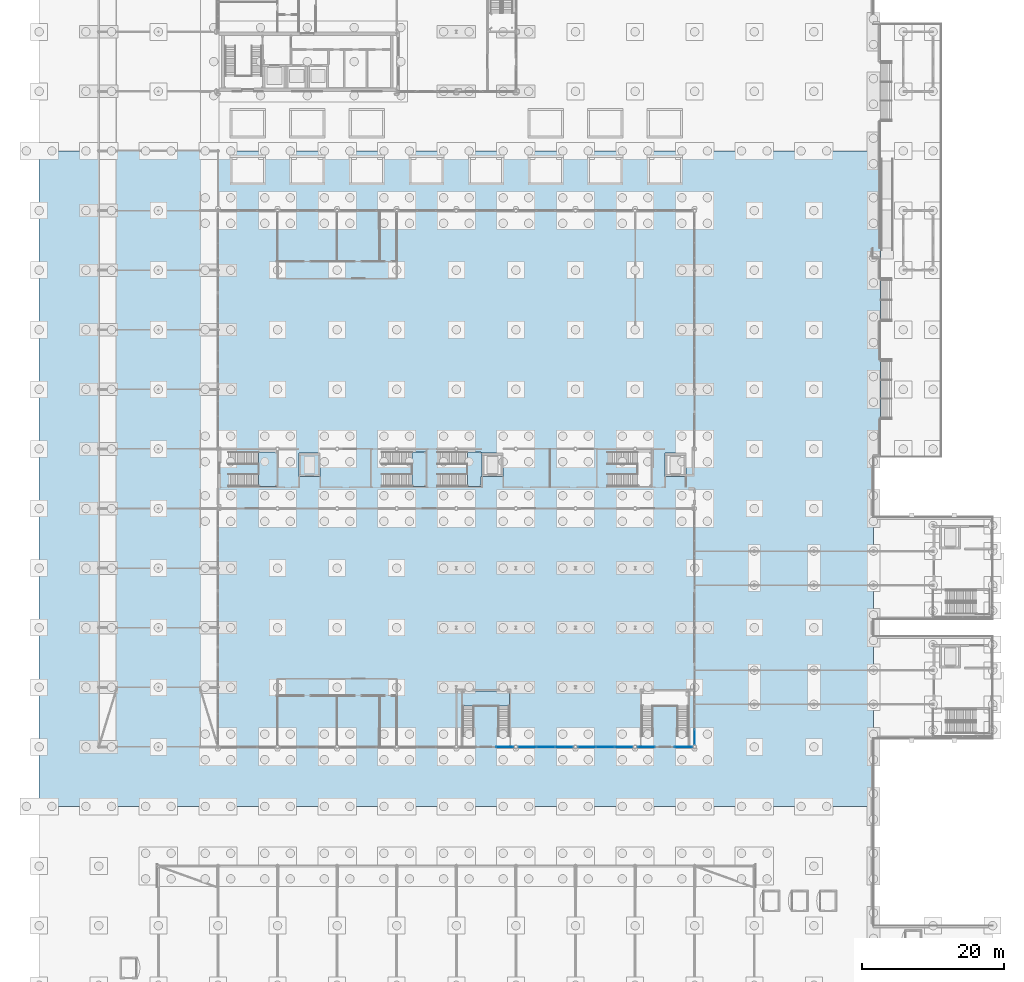
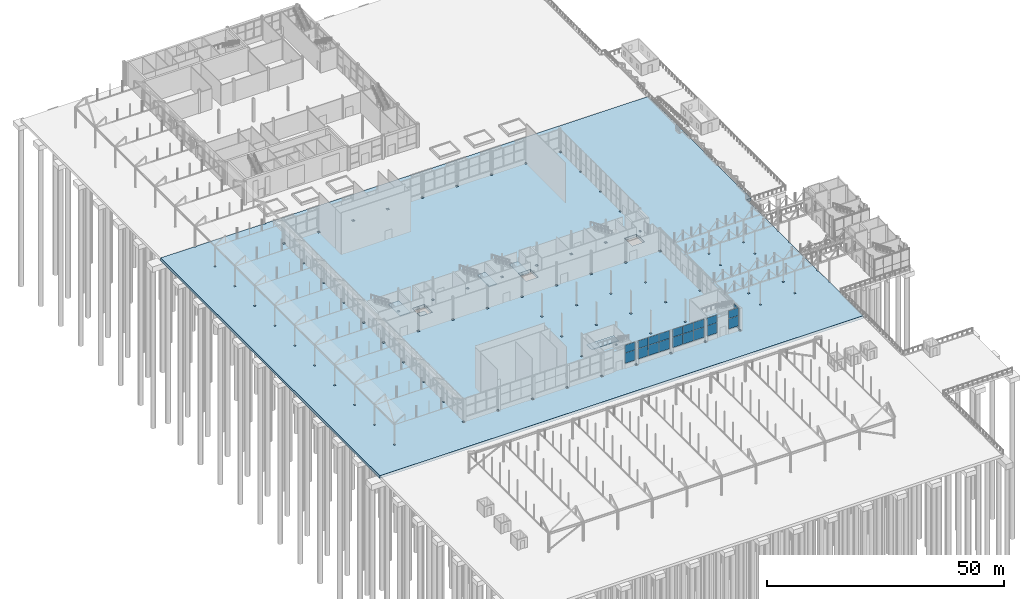
# One storey, part 173 of 212: 20 plates, 6 slabs, 10 elements without a shape of their own.
"""IFC4 building model written with IfcOpenShell, lengths in metres."""

from ifc_helpers import new_model, si_unit, direction, frame, origin, origin_2d, place, context, subcontext, project, spatial, polyline, rectangle, outline, extrude, material, layer, layer_set, type_object, element, aggregate, save


model = new_model("IFC4")

# Units and contexts
model_context = context("Model", 3, precision=1e-05, world=origin(), true_north=direction((0.0, 1.0)))
body_context = subcontext(model_context, "Body", "Model", "MODEL_VIEW")
ifc_project = project(units=[si_unit("LENGTHUNIT", "METRE"), si_unit("AREAUNIT", "SQUARE_METRE"), si_unit("VOLUMEUNIT", "CUBIC_METRE"), si_unit("PLANEANGLEUNIT", "RADIAN"), si_unit("MASSUNIT", "GRAM", prefix="KILO")], contexts=[model_context])

# Site, building, storey
site_placement = place(None, origin())
site = spatial("IfcSite", under=ifc_project, at=site_placement, CompositionType="ELEMENT")
building_placement = place(site_placement, origin())
building = spatial("IfcBuilding", under=site, at=building_placement, Name="Catenary Quay Ferry Terminal", CompositionType="ELEMENT")
storey_placement = place(building_placement, origin())
storey = spatial("IfcBuildingStorey", under=building, at=storey_placement, Name="L00", CompositionType="ELEMENT", Elevation=0.0)

# Slab
ifc_material_1 = material(Name="Concrete C35/45", Category="concrete")
ifc_layer_1 = layer(ifc_material_1, 0.300048828125)
ifc_layer_set_1 = layer_set([ifc_layer_1], Name="Lift pit floor 300")
slab_type_1 = type_object("IfcSlabType", Name="Lift pit floor 300", PredefinedType="BASESLAB", material=ifc_layer_set_1)
slab_1_placement = place(storey_placement, frame((0.0, 0.0, -1.89990234375)))
element("IfcSlab", 1, at=slab_1_placement, inside=storey, type_object=slab_type_1, Name="Lift pit floor TL1", PredefinedType="BASESLAB", context=body_context, shape_type="SweptSolid", body=[
    extrude(outline(polyline([(39.60009765625, 105.300048828125), (39.60009765625, 108.60009765625), (36.60009765625, 108.60009765625), (36.60009765625, 105.300048828125), (39.60009765625, 105.300048828125)])), origin(), (0.0, 0.0, 1.0), 0.2998046875),
])

# Curtain wall, plates
ifc_material_2 = material(Name="Aluminium and glass", Category="aluminium")
curtain_wall_type_1 = type_object("IfcCurtainWallType", Name="CWG", PredefinedType="NOTDEFINED", material=ifc_material_2)
curtain_wall_1_placement = place(storey_placement, origin())
curtain_wall_1 = element("IfcCurtainWall", 2, at=curtain_wall_1_placement, inside=storey, type_object=curtain_wall_type_1, Name="Gable arrivals hall curtain wall CW6", PredefinedType="NOTDEFINED")
ifc_material_3 = material(Name="Glass", Category="glass")
ifc_layer_2 = layer(ifc_material_3, 0.031982421875)
ifc_layer_set_2 = layer_set([ifc_layer_2], Name="PN1")
plate_type_1 = type_object("IfcPlateType", Name="PN1", PredefinedType="CURTAIN_PANEL", material=ifc_layer_set_2)
plate_1_placement = place(storey_placement, frame((92.39990234375, 68.583740234375, 0.06005859375), z_axis=(0.0, 0.0, 1.0), x_axis=(0.0, 1.0, 0.0)))
plate_1 = element("IfcPlate", 3, at=plate_1_placement, type_object=plate_type_1, Name="CW6 panel 1.1", PredefinedType="CURTAIN_PANEL", context=body_context, shape_type="SweptSolid", body=[
    extrude(rectangle(XDim=2.047607421875, YDim=0.031982421875, at=origin_2d()), origin(), (0.0, 0.0, 1.0), 2.610107421875),
])
plate_2_placement = place(storey_placement, frame((92.39990234375, 68.583740234375, 2.72998046875), z_axis=(0.0, 0.0, 1.0), x_axis=(0.0, 1.0, 0.0)))
plate_2 = element("IfcPlate", 4, at=plate_2_placement, type_object=plate_type_1, Name="CW6 panel 1.2", PredefinedType="CURTAIN_PANEL", context=body_context, shape_type="SweptSolid", body=[
    extrude(rectangle(XDim=2.047607421875, YDim=0.031982421875, at=origin_2d()), origin(), (0.0, 0.0, 1.0), 2.610107421875),
])
aggregate(curtain_wall_1, [plate_1, plate_2])

ifc_material_4 = material(Name="Aluminium and glass", Category="aluminium")
curtain_wall_type_2 = type_object("IfcCurtainWallType", Name="CWH", PredefinedType="NOTDEFINED", material=ifc_material_4)
curtain_wall_2_placement = place(storey_placement, origin())
curtain_wall_2 = element("IfcCurtainWall", 5, at=curtain_wall_2_placement, inside=storey, type_object=curtain_wall_type_2, Name="Hall curtain wall CW27", PredefinedType="NOTDEFINED")
ifc_material_5 = material(Name="Glass", Category="glass")
ifc_layer_3 = layer(ifc_material_5, 0.0400390625)
ifc_layer_set_3 = layer_set([ifc_layer_3], Name="PN2")
plate_type_2 = type_object("IfcPlateType", Name="PN2", PredefinedType="CURTAIN_PANEL", material=ifc_layer_set_3)
plate_3_placement = place(storey_placement, frame((65.625, 67.199951171875, 1.259765625), z_axis=(0.0, 0.0, 1.0), x_axis=(1.0, 0.0, 0.0)))
plate_3 = element("IfcPlate", 6, at=plate_3_placement, type_object=plate_type_2, Name="CW27 panel 1.1", PredefinedType="CURTAIN_PANEL", context=body_context, shape_type="SweptSolid", body=[
    extrude(rectangle(XDim=2.409912109375, YDim=0.0400390625, at=origin_2d()), origin(), (0.0, 0.0, 1.0), 2.610107421875),
])
plate_4_placement = place(storey_placement, frame((65.625, 67.199951171875, 3.93017578125), z_axis=(0.0, 0.0, 1.0), x_axis=(1.0, 0.0, 0.0)))
plate_4 = element("IfcPlate", 7, at=plate_4_placement, type_object=plate_type_2, Name="CW27 panel 1.2", PredefinedType="CURTAIN_PANEL", context=body_context, shape_type="SweptSolid", body=[
    extrude(rectangle(XDim=2.409912109375, YDim=0.0400390625, at=origin_2d()), origin(), (0.0, 0.0, 1.0), 2.010009765625),
])
aggregate(curtain_wall_2, [plate_3, plate_4])

curtain_wall_3_placement = place(storey_placement, origin())
curtain_wall_3 = element("IfcCurtainWall", 8, at=curtain_wall_3_placement, inside=storey, type_object=curtain_wall_type_2, Name="Hall curtain wall CW28", PredefinedType="NOTDEFINED")
plate_5_placement = place(storey_placement, frame((68.8173828125, 67.199951171875, 1.259765625), z_axis=(0.0, 0.0, 1.0), x_axis=(1.0, 0.0, 0.0)))
plate_5 = element("IfcPlate", 9, at=plate_5_placement, type_object=plate_type_2, Name="CW28 panel 1.1", PredefinedType="CURTAIN_PANEL", context=body_context, shape_type="SweptSolid", body=[
    extrude(rectangle(XDim=2.4951171875, YDim=0.0400390625, at=origin_2d()), origin(), (0.0, 0.0, 1.0), 2.610107421875),
])
plate_6_placement = place(storey_placement, frame((68.8173828125, 67.199951171875, 3.93017578125), z_axis=(0.0, 0.0, 1.0), x_axis=(1.0, 0.0, 0.0)))
plate_6 = element("IfcPlate", 10, at=plate_6_placement, type_object=plate_type_2, Name="CW28 panel 1.2", PredefinedType="CURTAIN_PANEL", context=body_context, shape_type="SweptSolid", body=[
    extrude(rectangle(XDim=2.4951171875, YDim=0.0400390625, at=origin_2d()), origin(), (0.0, 0.0, 1.0), 2.010009765625),
])
plate_7_placement = place(storey_placement, frame((71.39990234375, 67.199951171875, 1.259765625), z_axis=(0.0, 0.0, 1.0), x_axis=(1.0, 0.0, 0.0)))
plate_7 = element("IfcPlate", 11, at=plate_7_placement, type_object=plate_type_2, Name="CW28 panel 2.1", PredefinedType="CURTAIN_PANEL", context=body_context, shape_type="SweptSolid", body=[
    extrude(rectangle(XDim=2.530029296875, YDim=0.0400390625, at=origin_2d()), origin(), (0.0, 0.0, 1.0), 2.610107421875),
])
plate_8_placement = place(storey_placement, frame((71.39990234375, 67.199951171875, 3.93017578125), z_axis=(0.0, 0.0, 1.0), x_axis=(1.0, 0.0, 0.0)))
plate_8 = element("IfcPlate", 12, at=plate_8_placement, type_object=plate_type_2, Name="CW28 panel 2.2", PredefinedType="CURTAIN_PANEL", context=body_context, shape_type="SweptSolid", body=[
    extrude(rectangle(XDim=2.530029296875, YDim=0.0400390625, at=origin_2d()), origin(), (0.0, 0.0, 1.0), 2.010009765625),
])
plate_9_placement = place(storey_placement, frame((73.982421875, 67.199951171875, 1.259765625), z_axis=(0.0, 0.0, 1.0), x_axis=(1.0, 0.0, 0.0)))
plate_9 = element("IfcPlate", 13, at=plate_9_placement, type_object=plate_type_2, Name="CW28 panel 3.1", PredefinedType="CURTAIN_PANEL", context=body_context, shape_type="SweptSolid", body=[
    extrude(rectangle(XDim=2.4951171875, YDim=0.0400390625, at=origin_2d()), origin(), (0.0, 0.0, 1.0), 2.610107421875),
])
plate_10_placement = place(storey_placement, frame((73.982421875, 67.199951171875, 3.93017578125), z_axis=(0.0, 0.0, 1.0), x_axis=(1.0, 0.0, 0.0)))
plate_10 = element("IfcPlate", 14, at=plate_10_placement, type_object=plate_type_2, Name="CW28 panel 3.2", PredefinedType="CURTAIN_PANEL", context=body_context, shape_type="SweptSolid", body=[
    extrude(rectangle(XDim=2.4951171875, YDim=0.0400390625, at=origin_2d()), origin(), (0.0, 0.0, 1.0), 2.010009765625),
])
aggregate(curtain_wall_3, [plate_5, plate_6, plate_7, plate_8, plate_9, plate_10])

curtain_wall_4_placement = place(storey_placement, origin())
curtain_wall_4 = element("IfcCurtainWall", 15, at=curtain_wall_4_placement, inside=storey, type_object=curtain_wall_type_2, Name="Hall curtain wall CW29", PredefinedType="NOTDEFINED")
plate_11_placement = place(storey_placement, frame((77.217529296875, 67.199951171875, 1.259765625), z_axis=(0.0, 0.0, 1.0), x_axis=(1.0, 0.0, 0.0)))
plate_11 = element("IfcPlate", 16, at=plate_11_placement, type_object=plate_type_2, Name="CW29 panel 1.1", PredefinedType="CURTAIN_PANEL", context=body_context, shape_type="SweptSolid", body=[
    extrude(rectangle(XDim=2.4951171875, YDim=0.0400390625, at=origin_2d()), origin(), (0.0, 0.0, 1.0), 2.610107421875),
])
plate_12_placement = place(storey_placement, frame((77.217529296875, 67.199951171875, 3.93017578125), z_axis=(0.0, 0.0, 1.0), x_axis=(1.0, 0.0, 0.0)))
plate_12 = element("IfcPlate", 17, at=plate_12_placement, type_object=plate_type_2, Name="CW29 panel 1.2", PredefinedType="CURTAIN_PANEL", context=body_context, shape_type="SweptSolid", body=[
    extrude(rectangle(XDim=2.4951171875, YDim=0.0400390625, at=origin_2d()), origin(), (0.0, 0.0, 1.0), 2.010009765625),
])
plate_13_placement = place(storey_placement, frame((79.800048828125, 67.199951171875, 1.259765625), z_axis=(0.0, 0.0, 1.0), x_axis=(1.0, 0.0, 0.0)))
plate_13 = element("IfcPlate", 18, at=plate_13_placement, type_object=plate_type_2, Name="CW29 panel 2.1", PredefinedType="CURTAIN_PANEL", context=body_context, shape_type="SweptSolid", body=[
    extrude(rectangle(XDim=2.530029296875, YDim=0.0400390625, at=origin_2d()), origin(), (0.0, 0.0, 1.0), 2.610107421875),
])
plate_14_placement = place(storey_placement, frame((79.800048828125, 67.199951171875, 3.93017578125), z_axis=(0.0, 0.0, 1.0), x_axis=(1.0, 0.0, 0.0)))
plate_14 = element("IfcPlate", 19, at=plate_14_placement, type_object=plate_type_2, Name="CW29 panel 2.2", PredefinedType="CURTAIN_PANEL", context=body_context, shape_type="SweptSolid", body=[
    extrude(rectangle(XDim=2.530029296875, YDim=0.0400390625, at=origin_2d()), origin(), (0.0, 0.0, 1.0), 2.010009765625),
])
plate_15_placement = place(storey_placement, frame((82.382568359375, 67.199951171875, 1.259765625), z_axis=(0.0, 0.0, 1.0), x_axis=(1.0, 0.0, 0.0)))
plate_15 = element("IfcPlate", 20, at=plate_15_placement, type_object=plate_type_2, Name="CW29 panel 3.1", PredefinedType="CURTAIN_PANEL", context=body_context, shape_type="SweptSolid", body=[
    extrude(rectangle(XDim=2.4951171875, YDim=0.0400390625, at=origin_2d()), origin(), (0.0, 0.0, 1.0), 2.610107421875),
])
plate_16_placement = place(storey_placement, frame((82.382568359375, 67.199951171875, 3.93017578125), z_axis=(0.0, 0.0, 1.0), x_axis=(1.0, 0.0, 0.0)))
plate_16 = element("IfcPlate", 21, at=plate_16_placement, type_object=plate_type_2, Name="CW29 panel 3.2", PredefinedType="CURTAIN_PANEL", context=body_context, shape_type="SweptSolid", body=[
    extrude(rectangle(XDim=2.4951171875, YDim=0.0400390625, at=origin_2d()), origin(), (0.0, 0.0, 1.0), 2.010009765625),
])
aggregate(curtain_wall_4, [plate_11, plate_12, plate_13, plate_14, plate_15, plate_16])

curtain_wall_5_placement = place(storey_placement, origin())
curtain_wall_5 = element("IfcCurtainWall", 22, at=curtain_wall_5_placement, inside=storey, type_object=curtain_wall_type_2, Name="Hall curtain wall CW30", PredefinedType="NOTDEFINED")
plate_17_placement = place(storey_placement, frame((85.574951171875, 67.199951171875, 1.259765625), z_axis=(0.0, 0.0, 1.0), x_axis=(1.0, 0.0, 0.0)))
plate_17 = element("IfcPlate", 23, at=plate_17_placement, type_object=plate_type_2, Name="CW30 panel 1.1", PredefinedType="CURTAIN_PANEL", context=body_context, shape_type="SweptSolid", body=[
    extrude(rectangle(XDim=2.409912109375, YDim=0.0400390625, at=origin_2d()), origin(), (0.0, 0.0, 1.0), 2.610107421875),
])
plate_18_placement = place(storey_placement, frame((85.574951171875, 67.199951171875, 3.93017578125), z_axis=(0.0, 0.0, 1.0), x_axis=(1.0, 0.0, 0.0)))
plate_18 = element("IfcPlate", 24, at=plate_18_placement, type_object=plate_type_2, Name="CW30 panel 1.2", PredefinedType="CURTAIN_PANEL", context=body_context, shape_type="SweptSolid", body=[
    extrude(rectangle(XDim=2.409912109375, YDim=0.0400390625, at=origin_2d()), origin(), (0.0, 0.0, 1.0), 2.010009765625),
])
aggregate(curtain_wall_5, [plate_17, plate_18])

curtain_wall_6_placement = place(storey_placement, origin())
curtain_wall_6 = element("IfcCurtainWall", 25, at=curtain_wall_6_placement, inside=storey, type_object=curtain_wall_type_2, Name="Hall curtain wall CW31", PredefinedType="NOTDEFINED")
plate_19_placement = place(storey_placement, frame((90.824951171875, 67.199951171875, 1.259765625), z_axis=(0.0, 0.0, 1.0), x_axis=(1.0, 0.0, 0.0)))
plate_19 = element("IfcPlate", 26, at=plate_19_placement, type_object=plate_type_2, Name="CW31 panel 1.1", PredefinedType="CURTAIN_PANEL", context=body_context, shape_type="SweptSolid", body=[
    extrude(rectangle(XDim=2.409912109375, YDim=0.0400390625, at=origin_2d()), origin(), (0.0, 0.0, 1.0), 2.610107421875),
])
plate_20_placement = place(storey_placement, frame((90.824951171875, 67.199951171875, 3.93017578125), z_axis=(0.0, 0.0, 1.0), x_axis=(1.0, 0.0, 0.0)))
plate_20 = element("IfcPlate", 27, at=plate_20_placement, type_object=plate_type_2, Name="CW31 panel 1.2", PredefinedType="CURTAIN_PANEL", context=body_context, shape_type="SweptSolid", body=[
    extrude(rectangle(XDim=2.409912109375, YDim=0.0400390625, at=origin_2d()), origin(), (0.0, 0.0, 1.0), 2.010009765625),
])
aggregate(curtain_wall_6, [plate_19, plate_20])

# Slab
ifc_material_6 = material(Name="Concrete C35/45", Category="concrete")
ifc_layer_4 = layer(ifc_material_6, 0.699951171875)
ifc_layer_set_4 = layer_set([ifc_layer_4], Name="Quay deck slab 700")
slab_type_2 = type_object("IfcSlabType", Name="Quay deck slab 700", PredefinedType="BASESLAB", material=ifc_layer_set_4)
slab_2_placement = place(storey_placement, frame((0.0, 0.0, -0.699951171875)))
element("IfcSlab", 28, at=slab_2_placement, inside=storey, type_object=slab_type_2, Name="Quay deck panel P2 terminal", PredefinedType="BASESLAB", context=body_context, shape_type="SweptSolid", body=[
    extrude(outline(polyline([(117.60009765625, 58.81494140625), (0.0, 58.81494140625), (0.0, 151.18505859375), (8.212158203125, 151.18505859375), (8.212158203125, 151.01220703125), (8.587890625, 151.01220703125), (8.587890625, 151.18505859375), (25.01220703125, 151.18505859375), (25.01220703125, 151.01220703125), (25.3876953125, 151.01220703125), (25.3876953125, 151.18505859375), (118.6201171875, 151.18505859375), (118.6201171875, 108.0), (117.60009765625, 108.0), (117.60009765625, 94.98779296875), (117.412109375, 94.98779296875), (117.412109375, 94.6123046875), (117.60009765625, 94.6123046875), (117.60009765625, 90.187744140625), (117.412109375, 90.187744140625), (117.412109375, 89.812255859375), (117.60009765625, 89.812255859375), (117.60009765625, 78.187744140625), (117.412109375, 78.187744140625), (117.412109375, 77.812255859375), (117.60009765625, 77.812255859375), (117.60009765625, 73.3876953125), (117.412109375, 73.3876953125), (117.412109375, 73.01220703125), (117.60009765625, 73.01220703125), (117.60009765625, 58.81494140625)]), holes=[polyline([(8.212158203125, 67.01220703125), (8.587890625, 67.01220703125), (8.587890625, 67.3876953125), (8.212158203125, 67.3876953125), (8.212158203125, 67.01220703125)]), polyline([(33.3359375, 66.93603515625), (33.864013671875, 66.93603515625), (33.864013671875, 67.464111328125), (33.3359375, 67.464111328125), (33.3359375, 66.93603515625)]), polyline([(24.93603515625, 66.93603515625), (25.464111328125, 66.93603515625), (25.464111328125, 67.464111328125), (24.93603515625, 67.464111328125), (24.93603515625, 66.93603515625)]), polyline([(25.01220703125, 75.787841796875), (25.01220703125, 75.412109375), (25.3876953125, 75.412109375), (25.3876953125, 75.787841796875), (25.01220703125, 75.787841796875)]), polyline([(8.212158203125, 75.787841796875), (8.212158203125, 75.412109375), (8.587890625, 75.412109375), (8.587890625, 75.787841796875), (8.212158203125, 75.787841796875)]), polyline([(8.212158203125, 83.812255859375), (8.587890625, 83.812255859375), (8.587890625, 84.187744140625), (8.212158203125, 84.187744140625), (8.212158203125, 83.812255859375)]), polyline([(25.01220703125, 84.187744140625), (25.01220703125, 83.812255859375), (25.3876953125, 83.812255859375), (25.3876953125, 84.187744140625), (25.01220703125, 84.187744140625)]), polyline([(8.212158203125, 92.587890625), (8.212158203125, 92.212158203125), (8.587890625, 92.212158203125), (8.587890625, 92.587890625), (8.212158203125, 92.587890625)]), polyline([(25.01220703125, 92.212158203125), (25.3876953125, 92.212158203125), (25.3876953125, 92.587890625), (25.01220703125, 92.587890625), (25.01220703125, 92.212158203125)]), polyline([(33.3359375, 101.06396484375), (33.3359375, 100.535888671875), (33.864013671875, 100.535888671875), (33.864013671875, 101.06396484375), (33.3359375, 101.06396484375)]), polyline([(24.93603515625, 101.06396484375), (24.93603515625, 100.535888671875), (25.464111328125, 100.535888671875), (25.464111328125, 101.06396484375), (24.93603515625, 101.06396484375)]), polyline([(8.212158203125, 100.6123046875), (8.587890625, 100.6123046875), (8.587890625, 100.98779296875), (8.212158203125, 100.98779296875), (8.212158203125, 100.6123046875)]), polyline([(36.60009765625, 105.300048828125), (39.60009765625, 105.300048828125), (39.60009765625, 108.60009765625), (36.60009765625, 108.60009765625), (36.60009765625, 105.300048828125)]), polyline([(8.212158203125, 109.3876953125), (8.212158203125, 109.01220703125), (8.587890625, 109.01220703125), (8.587890625, 109.3876953125), (8.212158203125, 109.3876953125)]), polyline([(41.736083984375, 109.464111328125), (41.736083984375, 108.93603515625), (42.263916015625, 108.93603515625), (42.263916015625, 109.464111328125), (41.736083984375, 109.464111328125)]), polyline([(24.93603515625, 108.93603515625), (25.464111328125, 108.93603515625), (25.464111328125, 109.464111328125), (24.93603515625, 109.464111328125), (24.93603515625, 108.93603515625)]), polyline([(33.3359375, 109.464111328125), (33.3359375, 108.93603515625), (33.864013671875, 108.93603515625), (33.864013671875, 109.464111328125), (33.3359375, 109.464111328125)]), polyline([(8.212158203125, 117.787841796875), (8.212158203125, 117.412109375), (8.587890625, 117.412109375), (8.587890625, 117.787841796875), (8.212158203125, 117.787841796875)]), polyline([(25.01220703125, 117.412109375), (25.3876953125, 117.412109375), (25.3876953125, 117.787841796875), (25.01220703125, 117.787841796875), (25.01220703125, 117.412109375)]), polyline([(8.212158203125, 126.187744140625), (8.212158203125, 125.812255859375), (8.587890625, 125.812255859375), (8.587890625, 126.187744140625), (8.212158203125, 126.187744140625)]), polyline([(25.01220703125, 126.187744140625), (25.01220703125, 125.812255859375), (25.3876953125, 125.812255859375), (25.3876953125, 126.187744140625), (25.01220703125, 126.187744140625)]), polyline([(25.01220703125, 134.212158203125), (25.3876953125, 134.212158203125), (25.3876953125, 134.587890625), (25.01220703125, 134.587890625), (25.01220703125, 134.212158203125)]), polyline([(8.212158203125, 134.212158203125), (8.587890625, 134.212158203125), (8.587890625, 134.587890625), (8.212158203125, 134.587890625), (8.212158203125, 134.212158203125)]), polyline([(41.736083984375, 142.535888671875), (42.263916015625, 142.535888671875), (42.263916015625, 143.06396484375), (41.736083984375, 143.06396484375), (41.736083984375, 142.535888671875)]), polyline([(33.3359375, 143.06396484375), (33.3359375, 142.535888671875), (33.864013671875, 142.535888671875), (33.864013671875, 143.06396484375), (33.3359375, 143.06396484375)]), polyline([(24.93603515625, 143.06396484375), (24.93603515625, 142.535888671875), (25.464111328125, 142.535888671875), (25.464111328125, 143.06396484375), (24.93603515625, 143.06396484375)]), polyline([(8.212158203125, 142.6123046875), (8.587890625, 142.6123046875), (8.587890625, 142.98779296875), (8.212158203125, 142.98779296875), (8.212158203125, 142.6123046875)]), polyline([(41.736083984375, 66.93603515625), (42.263916015625, 66.93603515625), (42.263916015625, 67.464111328125), (41.736083984375, 67.464111328125), (41.736083984375, 66.93603515625)]), polyline([(50.135986328125, 67.464111328125), (50.135986328125, 66.93603515625), (50.6640625, 66.93603515625), (50.6640625, 67.464111328125), (50.135986328125, 67.464111328125)]), polyline([(75.3359375, 67.464111328125), (75.3359375, 66.93603515625), (75.864013671875, 66.93603515625), (75.864013671875, 67.464111328125), (75.3359375, 67.464111328125)]), polyline([(66.93603515625, 66.93603515625), (67.464111328125, 66.93603515625), (67.464111328125, 67.464111328125), (66.93603515625, 67.464111328125), (66.93603515625, 66.93603515625)]), polyline([(58.535888671875, 66.93603515625), (59.06396484375, 66.93603515625), (59.06396484375, 67.464111328125), (58.535888671875, 67.464111328125), (58.535888671875, 66.93603515625)]), polyline([(83.7900390625, 75.389892578125), (84.2099609375, 75.389892578125), (84.2099609375, 75.81005859375), (83.7900390625, 75.81005859375), (83.7900390625, 75.389892578125)]), polyline([(75.389892578125, 75.81005859375), (75.389892578125, 75.389892578125), (75.81005859375, 75.389892578125), (75.81005859375, 75.81005859375), (75.389892578125, 75.81005859375)]), polyline([(66.989990234375, 75.81005859375), (66.989990234375, 75.389892578125), (67.409912109375, 75.389892578125), (67.409912109375, 75.81005859375), (66.989990234375, 75.81005859375)]), polyline([(58.590087890625, 75.389892578125), (59.010009765625, 75.389892578125), (59.010009765625, 75.81005859375), (58.590087890625, 75.81005859375), (58.590087890625, 75.389892578125)]), polyline([(58.590087890625, 84.2099609375), (58.590087890625, 83.7900390625), (59.010009765625, 83.7900390625), (59.010009765625, 84.2099609375), (58.590087890625, 84.2099609375)]), polyline([(75.389892578125, 84.2099609375), (75.389892578125, 83.7900390625), (75.81005859375, 83.7900390625), (75.81005859375, 84.2099609375), (75.389892578125, 84.2099609375)]), polyline([(66.989990234375, 83.7900390625), (67.409912109375, 83.7900390625), (67.409912109375, 84.2099609375), (66.989990234375, 84.2099609375), (66.989990234375, 83.7900390625)]), polyline([(58.590087890625, 92.610107421875), (58.590087890625, 92.18994140625), (59.010009765625, 92.18994140625), (59.010009765625, 92.610107421875), (58.590087890625, 92.610107421875)]), polyline([(75.389892578125, 92.610107421875), (75.389892578125, 92.18994140625), (75.81005859375, 92.18994140625), (75.81005859375, 92.610107421875), (75.389892578125, 92.610107421875)]), polyline([(66.989990234375, 92.18994140625), (67.409912109375, 92.18994140625), (67.409912109375, 92.610107421875), (66.989990234375, 92.610107421875), (66.989990234375, 92.18994140625)]), polyline([(41.736083984375, 100.535888671875), (42.263916015625, 100.535888671875), (42.263916015625, 101.06396484375), (41.736083984375, 101.06396484375), (41.736083984375, 100.535888671875)]), polyline([(50.135986328125, 100.535888671875), (50.6640625, 100.535888671875), (50.6640625, 101.06396484375), (50.135986328125, 101.06396484375), (50.135986328125, 100.535888671875)]), polyline([(75.3359375, 101.06396484375), (75.3359375, 100.535888671875), (75.864013671875, 100.535888671875), (75.864013671875, 101.06396484375), (75.3359375, 101.06396484375)]), polyline([(66.93603515625, 101.06396484375), (66.93603515625, 100.535888671875), (67.464111328125, 100.535888671875), (67.464111328125, 101.06396484375), (66.93603515625, 101.06396484375)]), polyline([(58.535888671875, 100.535888671875), (59.06396484375, 100.535888671875), (59.06396484375, 101.06396484375), (58.535888671875, 101.06396484375), (58.535888671875, 100.535888671875)]), polyline([(62.39990234375, 105.300048828125), (65.39990234375, 105.300048828125), (65.39990234375, 108.60009765625), (62.39990234375, 108.60009765625), (62.39990234375, 105.300048828125)]), polyline([(50.135986328125, 108.93603515625), (50.6640625, 108.93603515625), (50.6640625, 109.464111328125), (50.135986328125, 109.464111328125), (50.135986328125, 108.93603515625)]), polyline([(66.93603515625, 109.464111328125), (66.93603515625, 108.93603515625), (67.464111328125, 108.93603515625), (67.464111328125, 109.464111328125), (66.93603515625, 109.464111328125)]), polyline([(75.3359375, 109.464111328125), (75.3359375, 108.93603515625), (75.864013671875, 108.93603515625), (75.864013671875, 109.464111328125), (75.3359375, 109.464111328125)]), polyline([(58.535888671875, 108.93603515625), (59.06396484375, 108.93603515625), (59.06396484375, 109.464111328125), (58.535888671875, 109.464111328125), (58.535888671875, 108.93603515625)]), polyline([(66.93603515625, 142.535888671875), (67.464111328125, 142.535888671875), (67.464111328125, 143.06396484375), (66.93603515625, 143.06396484375), (66.93603515625, 142.535888671875)]), polyline([(58.535888671875, 142.535888671875), (59.06396484375, 142.535888671875), (59.06396484375, 143.06396484375), (58.535888671875, 143.06396484375), (58.535888671875, 142.535888671875)]), polyline([(50.135986328125, 143.06396484375), (50.135986328125, 142.535888671875), (50.6640625, 142.535888671875), (50.6640625, 143.06396484375), (50.135986328125, 143.06396484375)]), polyline([(75.3359375, 143.06396484375), (75.3359375, 142.535888671875), (75.864013671875, 142.535888671875), (75.864013671875, 143.06396484375), (75.3359375, 143.06396484375)]), polyline([(83.736083984375, 66.93603515625), (84.263916015625, 66.93603515625), (84.263916015625, 67.464111328125), (83.736083984375, 67.464111328125), (83.736083984375, 66.93603515625)]), polyline([(92.135986328125, 67.464111328125), (92.135986328125, 66.93603515625), (92.6640625, 66.93603515625), (92.6640625, 67.464111328125), (92.135986328125, 67.464111328125)]), polyline([(109.01220703125, 73.3876953125), (109.01220703125, 73.01220703125), (109.3876953125, 73.01220703125), (109.3876953125, 73.3876953125), (109.01220703125, 73.3876953125)]), polyline([(100.6123046875, 73.01220703125), (100.98779296875, 73.01220703125), (100.98779296875, 73.3876953125), (100.6123046875, 73.3876953125), (100.6123046875, 73.01220703125)]), polyline([(109.01220703125, 78.187744140625), (109.01220703125, 77.812255859375), (109.3876953125, 77.812255859375), (109.3876953125, 78.187744140625), (109.01220703125, 78.187744140625)]), polyline([(100.6123046875, 77.812255859375), (100.98779296875, 77.812255859375), (100.98779296875, 78.187744140625), (100.6123046875, 78.187744140625), (100.6123046875, 77.812255859375)]), polyline([(83.7900390625, 83.7900390625), (84.2099609375, 83.7900390625), (84.2099609375, 84.2099609375), (83.7900390625, 84.2099609375), (83.7900390625, 83.7900390625)]), polyline([(92.212158203125, 84.187744140625), (92.212158203125, 83.812255859375), (92.587890625, 83.812255859375), (92.587890625, 84.187744140625), (92.212158203125, 84.187744140625)]), polyline([(109.01220703125, 90.187744140625), (109.01220703125, 89.812255859375), (109.3876953125, 89.812255859375), (109.3876953125, 90.187744140625), (109.01220703125, 90.187744140625)]), polyline([(100.6123046875, 90.187744140625), (100.6123046875, 89.812255859375), (100.98779296875, 89.812255859375), (100.98779296875, 90.187744140625), (100.6123046875, 90.187744140625)]), polyline([(83.7900390625, 92.610107421875), (83.7900390625, 92.18994140625), (84.2099609375, 92.18994140625), (84.2099609375, 92.610107421875), (83.7900390625, 92.610107421875)]), polyline([(109.01220703125, 94.6123046875), (109.3876953125, 94.6123046875), (109.3876953125, 94.98779296875), (109.01220703125, 94.98779296875), (109.01220703125, 94.6123046875)]), polyline([(100.6123046875, 94.98779296875), (100.6123046875, 94.6123046875), (100.98779296875, 94.6123046875), (100.98779296875, 94.98779296875), (100.6123046875, 94.98779296875)]), polyline([(92.135986328125, 100.535888671875), (92.6640625, 100.535888671875), (92.6640625, 101.06396484375), (92.135986328125, 101.06396484375), (92.135986328125, 100.535888671875)]), polyline([(83.736083984375, 100.535888671875), (84.263916015625, 100.535888671875), (84.263916015625, 101.06396484375), (83.736083984375, 101.06396484375), (83.736083984375, 100.535888671875)]), polyline([(91.199951171875, 105.300048828125), (91.199951171875, 108.60009765625), (88.199951171875, 108.60009765625), (88.199951171875, 105.300048828125), (91.199951171875, 105.300048828125)]), polyline([(83.736083984375, 109.464111328125), (83.736083984375, 108.93603515625), (84.263916015625, 108.93603515625), (84.263916015625, 109.464111328125), (83.736083984375, 109.464111328125)]), polyline([(92.135986328125, 108.93603515625), (92.6640625, 108.93603515625), (92.6640625, 109.464111328125), (92.135986328125, 109.464111328125), (92.135986328125, 108.93603515625)]), polyline([(92.212158203125, 117.787841796875), (92.212158203125, 117.412109375), (92.587890625, 117.412109375), (92.587890625, 117.787841796875), (92.212158203125, 117.787841796875)]), polyline([(92.212158203125, 126.187744140625), (92.212158203125, 125.812255859375), (92.587890625, 125.812255859375), (92.587890625, 126.187744140625), (92.212158203125, 126.187744140625)]), polyline([(92.212158203125, 134.212158203125), (92.587890625, 134.212158203125), (92.587890625, 134.587890625), (92.212158203125, 134.587890625), (92.212158203125, 134.212158203125)]), polyline([(92.135986328125, 143.06396484375), (92.135986328125, 142.535888671875), (92.6640625, 142.535888671875), (92.6640625, 143.06396484375), (92.135986328125, 143.06396484375)]), polyline([(83.736083984375, 143.06396484375), (83.736083984375, 142.535888671875), (84.263916015625, 142.535888671875), (84.263916015625, 143.06396484375), (83.736083984375, 143.06396484375)])]), origin(), (0.0, 0.0, 1.0), 0.699951171875),
])

# Stair, slab
ifc_material_7 = material(Name="Concrete C35/45", Category="concrete")
stair_type_1 = type_object("IfcStairType", Name="STX1600", PredefinedType="HALF_TURN_STAIR", material=ifc_material_7)
stair_1_placement = place(storey_placement, origin())
stair_1 = element("IfcStair", 29, at=stair_1_placement, inside=storey, type_object=stair_type_1, Name="Stair TS6 L00 to L01", PredefinedType="HALF_TURN_STAIR")
ifc_material_8 = material(Name="Concrete C35/45", Category="concrete")
ifc_layer_5 = layer(ifc_material_8, 0.199951171875)
ifc_layer_set_5 = layer_set([ifc_layer_5], Name="SLX1600")
slab_type_3 = type_object("IfcSlabType", Name="SLX1600", PredefinedType="LANDING", material=ifc_layer_set_5)
slab_3_placement = place(storey_placement, frame((0.0, 0.0, 2.800048828125)))
slab_3 = element("IfcSlab", 30, at=slab_3_placement, type_object=slab_type_3, Name="TS6-L00 landing 1", PredefinedType="LANDING", context=body_context, shape_type="SweptSolid", body=[
    extrude(outline(polyline([(59.699951171875, 72.949951171875), (66.300048828125, 72.949951171875), (66.300048828125, 75.10009765625), (59.699951171875, 75.10009765625), (59.699951171875, 72.949951171875)])), origin(), (0.0, 0.0, 1.0), 0.199951171875),
])
aggregate(stair_1, [slab_3])

ifc_material_9 = material(Name="Concrete C35/45", Category="concrete")
stair_type_2 = type_object("IfcStairType", Name="STX1800", PredefinedType="HALF_TURN_STAIR", material=ifc_material_9)
stair_2_placement = place(storey_placement, origin())
stair_2 = element("IfcStair", 31, at=stair_2_placement, inside=storey, type_object=stair_type_2, Name="Stair TS1 L00 to L01", PredefinedType="HALF_TURN_STAIR")
ifc_material_10 = material(Name="Concrete C35/45", Category="concrete")
ifc_layer_6 = layer(ifc_material_10, 0.199951171875)
ifc_layer_set_6 = layer_set([ifc_layer_6], Name="SLX1800")
slab_type_4 = type_object("IfcSlabType", Name="SLX1800", PredefinedType="LANDING", material=ifc_layer_set_6)
slab_4_placement = place(storey_placement, frame((0.0, 0.0, 2.800048828125)))
slab_4 = element("IfcSlab", 32, at=slab_4_placement, type_object=slab_type_4, Name="TS1-L00 landing 1", PredefinedType="LANDING", context=body_context, shape_type="SweptSolid", body=[
    extrude(outline(polyline([(30.949951171875, 103.89990234375), (33.5, 103.89990234375), (33.5, 108.800048828125), (30.949951171875, 108.800048828125), (30.949951171875, 103.89990234375)])), origin(), (0.0, 0.0, 1.0), 0.199951171875),
])
aggregate(stair_2, [slab_4])

stair_3_placement = place(storey_placement, origin())
stair_3 = element("IfcStair", 33, at=stair_3_placement, inside=storey, type_object=stair_type_2, Name="Stair TS2 L00 to L01", PredefinedType="HALF_TURN_STAIR")
slab_5_placement = place(storey_placement, frame((0.0, 0.0, 2.800048828125)))
slab_5 = element("IfcSlab", 34, at=slab_5_placement, type_object=slab_type_4, Name="TS2-L00 landing 1", PredefinedType="LANDING", context=body_context, shape_type="SweptSolid", body=[
    extrude(outline(polyline([(52.550048828125, 103.89990234375), (54.5, 103.89990234375), (54.5, 108.800048828125), (52.550048828125, 108.800048828125), (52.550048828125, 103.89990234375)])), origin(), (0.0, 0.0, 1.0), 0.199951171875),
])
aggregate(stair_3, [slab_5])

stair_4_placement = place(storey_placement, origin())
stair_4 = element("IfcStair", 35, at=stair_4_placement, inside=storey, type_object=stair_type_2, Name="Stair TS4 L00 to L01", PredefinedType="HALF_TURN_STAIR")
slab_6_placement = place(storey_placement, frame((0.0, 0.0, 2.800048828125)))
slab_6 = element("IfcSlab", 36, at=slab_6_placement, type_object=slab_type_4, Name="TS4-L00 landing 1", PredefinedType="LANDING", context=body_context, shape_type="SweptSolid", body=[
    extrude(outline(polyline([(62.39990234375, 105.300048828125), (62.300048828125, 105.300048828125), (62.300048828125, 103.89990234375), (60.35009765625, 103.89990234375), (60.35009765625, 108.800048828125), (62.300048828125, 108.800048828125), (62.300048828125, 108.60009765625), (62.39990234375, 108.60009765625), (62.39990234375, 105.300048828125)])), origin(), (0.0, 0.0, 1.0), 0.199951171875),
])
aggregate(stair_4, [slab_6])

save(model, "model.ifc")
